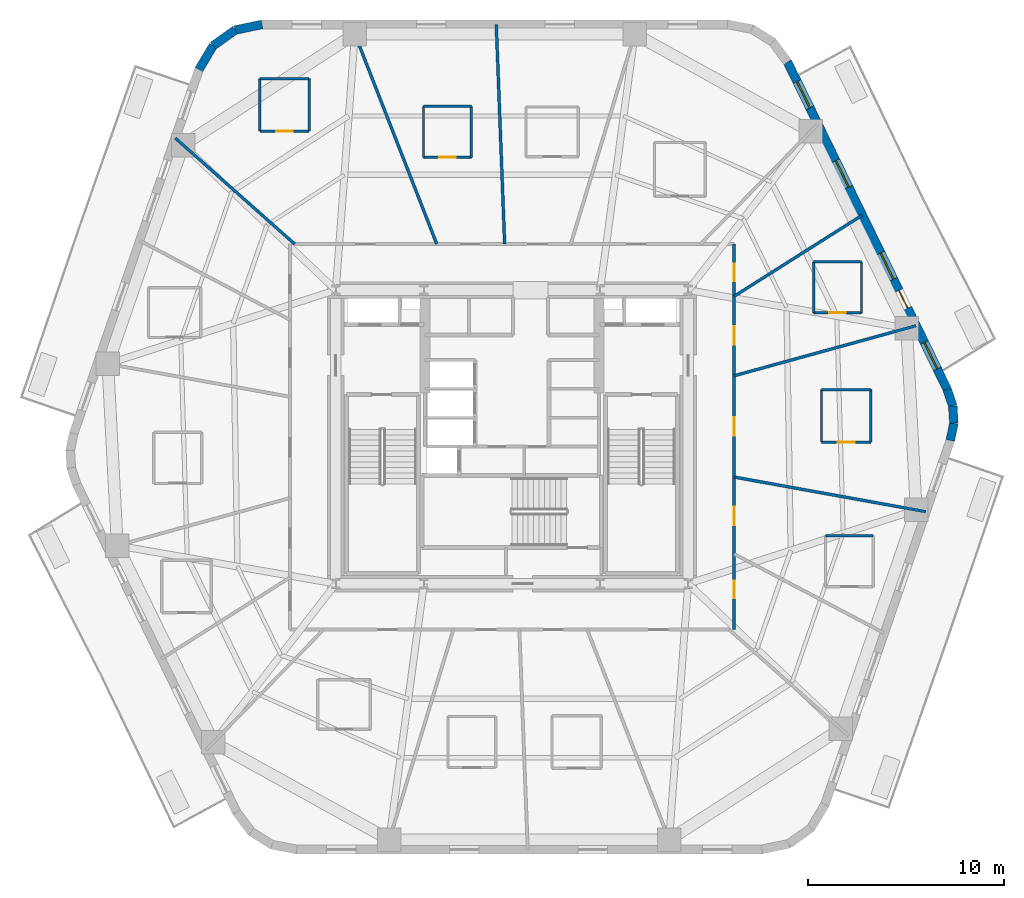
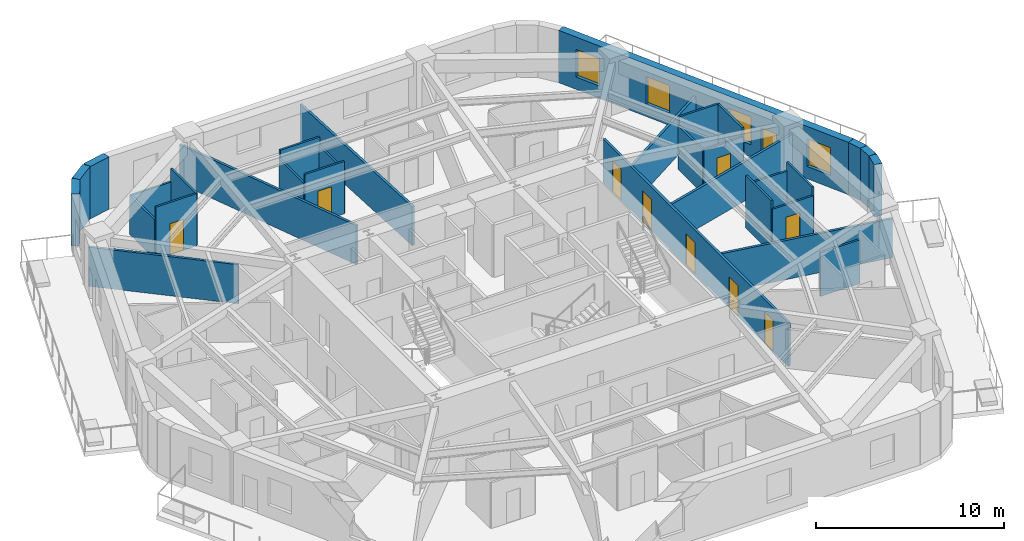
# One storey, part 6 of 10: 31 walls, 10 doors, 4 windows, 14 openings.
"""IFC4 building model written with IfcOpenShell, lengths in metres."""

from ifc_helpers import new_model, si_unit, direction, frame, frame_2d, origin, place, context, subcontext, project, spatial, rectangle, extrude, material, layer, layer_set, type_object, element, fill, save


model = new_model("IFC4")

# Units and contexts
model_context = context("Model", 3, precision=1e-05, world=origin(), true_north=direction((0.0, 1.0)))
body_context = subcontext(model_context, "Body", "Model", "MODEL_VIEW")
ifc_project = project(units=[si_unit("LENGTHUNIT", "METRE"), si_unit("AREAUNIT", "SQUARE_METRE"), si_unit("VOLUMEUNIT", "CUBIC_METRE"), si_unit("PLANEANGLEUNIT", "RADIAN"), si_unit("MASSUNIT", "GRAM", prefix="KILO")], contexts=[model_context])

# Site, building, storey
site_placement = place(None, origin())
site = spatial("IfcSite", under=ifc_project, at=site_placement, CompositionType="ELEMENT")
building_placement = place(site_placement, origin())
building = spatial("IfcBuilding", under=site, at=building_placement, Name="Kilnhurst Terrace Hotel", CompositionType="ELEMENT")
storey_placement = place(building_placement, frame((0.0, 0.0, 121.0)))
storey = spatial("IfcBuildingStorey", under=building, at=storey_placement, Name="L29", CompositionType="ELEMENT", Elevation=121.0)

# Walls
ifc_material_1 = material(Name="Precast concrete C40/50", Category="concrete")
ifc_layer_1 = layer(ifc_material_1, 0.449951171875, Name="Precast concrete C40/50")
ifc_layer_set_1 = layer_set([ifc_layer_1], Name="Precast concrete C40/50")
wall_type_1 = type_object("IfcWallType", Name="WL-BRK-450", PredefinedType="SOLIDWALL", material=ifc_layer_set_1)
wall_1_placement = place(storey_placement, frame((22.39697265625, -0.17919921875, 0.0), z_axis=(0.0, 0.0, 1.0), x_axis=(0.199313589404, 0.979935759669, 0.0)))
element("IfcWall", 1, at=wall_1_placement, inside=storey, type_object=wall_type_1, Name="L29 Rounded Corner Brick Wall C3.1", PredefinedType="SOLIDWALL", context=body_context, shape_type="SweptSolid", body=[
    extrude(rectangle(XDim=0.8955078125, YDim=0.449951171875, at=frame_2d((0.44775390625, 0.0))), origin(), (0.0, 0.0, 1.0), 3.39990234375),
])
wall_2_placement = place(storey_placement, frame((22.575439453125, 0.6982421875, 0.0), z_axis=(0.0, 0.0, 1.0), x_axis=(-0.060980441946, 0.998138961117, 0.0)))
element("IfcWall", 2, at=wall_2_placement, inside=storey, type_object=wall_type_1, Name="L29 Rounded Corner Brick Wall C3.2", PredefinedType="SOLIDWALL", context=body_context, shape_type="SweptSolid", body=[
    extrude(rectangle(XDim=0.880859375, YDim=0.449951171875, at=frame_2d((0.4404296875, 0.0))), origin(), (0.0, 0.0, 1.0), 3.39990234375),
])
wall_3_placement = place(storey_placement, frame((22.521728515625, 1.577392578125, 0.0), z_axis=(0.0, 0.0, 1.0), x_axis=(-0.317372694837, 0.948300887151, 0.0)))
element("IfcWall", 3, at=wall_3_placement, inside=storey, type_object=wall_type_1, Name="L29 Rounded Corner Brick Wall C3.3", PredefinedType="SOLIDWALL", context=body_context, shape_type="SweptSolid", body=[
    extrude(rectangle(XDim=0.8955078125, YDim=0.449951171875, at=frame_2d((0.44775390625, 0.0))), origin(), (0.0, 0.0, 1.0), 3.39990234375),
])
wall_4_placement = place(storey_placement, frame((-12.7705078125, 21.074951171875, 0.0), z_axis=(0.0, 0.0, 1.0), x_axis=(-0.97874281988, -0.205091424819, 0.0)))
element("IfcWall", 4, at=wall_4_placement, inside=storey, type_object=wall_type_1, Name="L29 Rounded Corner Brick Wall C5.1", PredefinedType="SOLIDWALL", context=body_context, shape_type="SweptSolid", body=[
    extrude(rectangle(XDim=1.40576171875, YDim=0.449951171875, at=frame_2d((0.702880859375, 0.0))), origin(), (0.0, 0.0, 1.0), 3.39990234375),
])
wall_5_placement = place(storey_placement, frame((-14.146484375, 20.78662109375, 0.0), z_axis=(0.0, 0.0, 1.0), x_axis=(-0.814162929117, -0.580636482536, 0.0)))
element("IfcWall", 5, at=wall_5_placement, inside=storey, type_object=wall_type_1, Name="L29 Rounded Corner Brick Wall C5.2", PredefinedType="SOLIDWALL", context=body_context, shape_type="SweptSolid", body=[
    extrude(rectangle(XDim=1.382080078125, YDim=0.449951171875, at=frame_2d((0.69091796875, 0.0))), origin(), (0.0, 0.0, 1.0), 3.39990234375),
])
wall_6_placement = place(storey_placement, frame((-15.271728515625, 19.984130859375, 0.0), z_axis=(0.0, 0.0, 1.0), x_axis=(-0.512579347361, -0.858639862025, 0.0)))
element("IfcWall", 6, at=wall_6_placement, inside=storey, type_object=wall_type_1, Name="L29 Rounded Corner Brick Wall C5.3", PredefinedType="SOLIDWALL", context=body_context, shape_type="SweptSolid", body=[
    extrude(rectangle(XDim=1.406005859375, YDim=0.449951171875, at=frame_2d((0.703125, 0.0))), origin(), (0.0, 0.0, 1.0), 3.39990234375),
])

# Wall, openings, door, windows
wall_7_placement = place(storey_placement, frame((22.237548828125, 2.426513671875, 0.0), z_axis=(0.0, 0.0, 1.0), x_axis=(-0.438374803278, 0.898792262901, 0.0)))
wall_7 = element("IfcWall", 7, at=wall_7_placement, inside=storey, type_object=wall_type_1, Name="L29 Exterior Brick Facade Wall F3", PredefinedType="SOLIDWALL", context=body_context, shape_type="SweptSolid", body=[
    extrude(rectangle(XDim=18.618408203125, YDim=0.449951171875, at=frame_2d((9.30908203125, 0.0))), origin(), (0.0, 0.0, 1.0), 3.39990234375),
])
opening_1_placement = place(wall_7_placement, frame((4.6201171875, 0.0, 0.0)))
opening_1 = element("IfcOpeningElement", 8, at=opening_1_placement, cuts=wall_7, Name="Opening BD-1000", PredefinedType="OPENING", context=body_context, shape_type="SweptSolid", body=[
    extrude(rectangle(XDim=1.0, YDim=2.14990234375, at=frame_2d((0.5, 1.074951171875))), frame((0.0, 0.23486328125, 0.0), z_axis=(0.0, -1.0, 0.0), x_axis=(1.0, 0.0, 0.0)), (0.0, 0.0, 1.0), 0.469970703125),
])
opening_2_placement = place(wall_7_placement, frame((6.261962890625, 0.0, 0.800048828125)))
opening_2 = element("IfcOpeningElement", 9, at=opening_2_placement, cuts=wall_7, Name="Opening W-02", PredefinedType="OPENING", context=body_context, shape_type="SweptSolid", body=[
    extrude(rectangle(XDim=1.5, YDim=1.800048828125, at=frame_2d((0.75, 0.89990234375))), frame((0.0, 0.23486328125, 0.0), z_axis=(0.0, -1.0, 0.0), x_axis=(1.0, 0.0, 0.0)), (0.0, 0.0, 1.0), 0.469970703125),
])
opening_3_placement = place(wall_7_placement, frame((11.5009765625, 0.0, 0.800048828125)))
opening_3 = element("IfcOpeningElement", 10, at=opening_3_placement, cuts=wall_7, Name="Opening W-02", PredefinedType="OPENING", context=body_context, shape_type="SweptSolid", body=[
    extrude(rectangle(XDim=1.5, YDim=1.800048828125, at=frame_2d((0.75, 0.89990234375))), frame((0.0, 0.23486328125, 0.0), z_axis=(0.0, -1.0, 0.0), x_axis=(1.0, 0.0, 0.0)), (0.0, 0.0, 1.0), 0.469970703125),
])
opening_4_placement = place(wall_7_placement, frame((16.006103515625, 0.0, 0.800048828125)))
opening_4 = element("IfcOpeningElement", 11, at=opening_4_placement, cuts=wall_7, Name="Opening W-02", PredefinedType="OPENING", context=body_context, shape_type="SweptSolid", body=[
    extrude(rectangle(XDim=1.5, YDim=1.800048828125, at=frame_2d((0.75, 0.89990234375))), frame((0.0, 0.23486328125, 0.0), z_axis=(0.0, -1.0, 0.0), x_axis=(1.0, 0.0, 0.0)), (0.0, 0.0, 1.0), 0.469970703125),
])
opening_5_placement = place(wall_7_placement, frame((1.1630859375, 0.0, 0.800048828125)))
opening_5 = element("IfcOpeningElement", 12, at=opening_5_placement, cuts=wall_7, Name="Opening W-02", PredefinedType="OPENING", context=body_context, shape_type="SweptSolid", body=[
    extrude(rectangle(XDim=1.5, YDim=1.800048828125, at=frame_2d((0.75, 0.89990234375))), frame((0.0, 0.23486328125, 0.0), z_axis=(0.0, -1.0, 0.0), x_axis=(1.0, 0.0, 0.0)), (0.0, 0.0, 1.0), 0.469970703125),
])
ifc_material_2 = material(Name="Thermally Broken Bronze Aluminium Alloy 6063-T6 and Laminated Glass", Category="aluminium")
door_type_1 = type_object("IfcDoorType", Name="DR-EXT-BAL-1000", OperationType="NOTDEFINED", PredefinedType="DOOR", material=ifc_material_2)
door_1_placement = place(opening_1_placement, origin())
door_1 = element("IfcDoor", 13, at=door_1_placement, inside=storey, type_object=door_type_1, Name="L29 Planted Balcony Door BAL-L1B", OperationType="SINGLE_SWING_LEFT", OverallHeight=2.14990234375, OverallWidth=1.0, PredefinedType="DOOR", context=body_context, shape_type="SweptSolid", body=[
    extrude(rectangle(XDim=1.0, YDim=2.14990234375, at=frame_2d((0.5, 1.074951171875))), frame((0.0, 0.02490234375, 0.0), z_axis=(0.0, -1.0, 0.0), x_axis=(1.0, 0.0, 0.0)), (0.0, 0.0, 1.0), 0.050048828125),
])
fill(opening_1, door_1)
ifc_material_3 = material(Name="Thermally Broken Bronze Aluminium Alloy 6063-T6 and Low-E Glass", Category="aluminium")
window_type = type_object("IfcWindowType", Name="WIN-1500X1800", PartitioningType="SINGLE_PANEL", PredefinedType="WINDOW", material=ifc_material_3)
window_1_placement = place(opening_2_placement, origin())
window_1 = element("IfcWindow", 14, at=window_1_placement, inside=storey, type_object=window_type, Name="L29 Deep-Set Masonry Window F3.1", OverallHeight=1.800048828125, OverallWidth=1.5, PartitioningType="SINGLE_PANEL", PredefinedType="WINDOW", context=body_context, shape_type="SweptSolid", body=[
    extrude(rectangle(XDim=1.5, YDim=1.800048828125, at=frame_2d((0.75, 0.89990234375))), frame((0.0, 0.030029296875, 0.0), z_axis=(0.0, -1.0, 0.0), x_axis=(1.0, 0.0, 0.0)), (0.0, 0.0, 1.0), 0.06005859375),
])
fill(opening_2, window_1)
window_2_placement = place(opening_3_placement, origin())
window_2 = element("IfcWindow", 15, at=window_2_placement, inside=storey, type_object=window_type, Name="L29 Deep-Set Masonry Window F3.2", OverallHeight=1.800048828125, OverallWidth=1.5, PartitioningType="SINGLE_PANEL", PredefinedType="WINDOW", context=body_context, shape_type="SweptSolid", body=[
    extrude(rectangle(XDim=1.5, YDim=1.800048828125, at=frame_2d((0.75, 0.89990234375))), frame((0.0, 0.030029296875, 0.0), z_axis=(0.0, -1.0, 0.0), x_axis=(1.0, 0.0, 0.0)), (0.0, 0.0, 1.0), 0.06005859375),
])
fill(opening_3, window_2)
window_3_placement = place(opening_4_placement, origin())
window_3 = element("IfcWindow", 16, at=window_3_placement, inside=storey, type_object=window_type, Name="L29 Deep-Set Masonry Window F3.3", OverallHeight=1.800048828125, OverallWidth=1.5, PartitioningType="SINGLE_PANEL", PredefinedType="WINDOW", context=body_context, shape_type="SweptSolid", body=[
    extrude(rectangle(XDim=1.5, YDim=1.800048828125, at=frame_2d((0.75, 0.89990234375))), frame((0.0, 0.030029296875, 0.0), z_axis=(0.0, -1.0, 0.0), x_axis=(1.0, 0.0, 0.0)), (0.0, 0.0, 1.0), 0.06005859375),
])
fill(opening_4, window_3)
window_4_placement = place(opening_5_placement, origin())
window_4 = element("IfcWindow", 17, at=window_4_placement, inside=storey, type_object=window_type, Name="L29 Deep-Set Masonry Window F3.4", OverallHeight=1.800048828125, OverallWidth=1.5, PartitioningType="SINGLE_PANEL", PredefinedType="WINDOW", context=body_context, shape_type="SweptSolid", body=[
    extrude(rectangle(XDim=1.5, YDim=1.800048828125, at=frame_2d((0.75, 0.89990234375))), frame((0.0, 0.030029296875, 0.0), z_axis=(0.0, -1.0, 0.0), x_axis=(1.0, 0.0, 0.0)), (0.0, 0.0, 1.0), 0.06005859375),
])
fill(opening_5, window_4)

# Wall, openings, doors
ifc_material_4 = material(Name="Acoustic Double-Gypsum Corridor Partition Assembly")
ifc_layer_2 = layer(ifc_material_4, 0.14990234375, Name="Acoustic Double-Gypsum Corridor Partition Assembly")
ifc_layer_set_2 = layer_set([ifc_layer_2], Name="Acoustic Double-Gypsum Corridor Partition Assembly")
wall_type_2 = type_object("IfcWallType", Name="WL-COR-150", PredefinedType="PARTITIONING", material=ifc_layer_set_2)
wall_8_placement = place(storey_placement, frame((11.35009765625, 9.85009765625, 0.0), z_axis=(0.0, 0.0, 1.0), x_axis=(0.0, -1.0, 0.0)))
wall_8 = element("IfcWall", 18, at=wall_8_placement, inside=storey, type_object=wall_type_2, Name="L29 Interior Wall WL-L29-COR-03", PredefinedType="PARTITIONING", context=body_context, shape_type="SweptSolid", body=[
    extrude(rectangle(XDim=19.7001953125, YDim=0.14990234375, at=frame_2d((9.85009765625, 0.0))), origin(), (0.0, 0.0, 1.0), 2.840087890625),
])
opening_6_placement = place(wall_8_placement, frame((4.198974609375, 0.0, 0.0)))
opening_6 = element("IfcOpeningElement", 19, at=opening_6_placement, cuts=wall_8, Name="Opening D-60B", PredefinedType="OPENING", context=body_context, shape_type="SweptSolid", body=[
    extrude(rectangle(XDim=0.949951171875, YDim=2.030029296875, at=frame_2d((0.47509765625, 1.01513671875))), frame((0.0, 0.0849609375, 0.0), z_axis=(0.0, -1.0, 0.0), x_axis=(1.0, 0.0, 0.0)), (0.0, 0.0, 1.0), 0.169921875),
])
opening_7_placement = place(wall_8_placement, frame((1.001953125, 0.0, 0.0)))
opening_7 = element("IfcOpeningElement", 20, at=opening_7_placement, cuts=wall_8, Name="Opening D-60C", PredefinedType="OPENING", context=body_context, shape_type="SweptSolid", body=[
    extrude(rectangle(XDim=0.89990234375, YDim=2.030029296875, at=frame_2d((0.449951171875, 1.01513671875))), frame((0.0, 0.0849609375, 0.0), z_axis=(0.0, -1.0, 0.0), x_axis=(1.0, 0.0, 0.0)), (0.0, 0.0, 1.0), 0.169921875),
])
opening_8_placement = place(wall_8_placement, frame((17.197021484375, 0.0, 0.0)))
opening_8 = element("IfcOpeningElement", 21, at=opening_8_placement, cuts=wall_8, Name="Opening D-60C", PredefinedType="OPENING", context=body_context, shape_type="SweptSolid", body=[
    extrude(rectangle(XDim=0.89990234375, YDim=2.030029296875, at=frame_2d((0.449951171875, 1.01513671875))), frame((0.0, 0.0849609375, 0.0), z_axis=(0.0, -1.0, 0.0), x_axis=(1.0, 0.0, 0.0)), (0.0, 0.0, 1.0), 0.169921875),
])
opening_9_placement = place(wall_8_placement, frame((13.407958984375, 0.0, 0.0)))
opening_9 = element("IfcOpeningElement", 22, at=opening_9_placement, cuts=wall_8, Name="Opening D-60B", PredefinedType="OPENING", context=body_context, shape_type="SweptSolid", body=[
    extrude(rectangle(XDim=0.949951171875, YDim=2.030029296875, at=frame_2d((0.47509765625, 1.01513671875))), frame((0.0, 0.0849609375, 0.0), z_axis=(0.0, -1.0, 0.0), x_axis=(1.0, 0.0, 0.0)), (0.0, 0.0, 1.0), 0.169921875),
])
opening_10_placement = place(wall_8_placement, frame((8.8359375, 0.0, 0.0)))
opening_10 = element("IfcOpeningElement", 23, at=opening_10_placement, cuts=wall_8, Name="Opening D-60B", PredefinedType="OPENING", context=body_context, shape_type="SweptSolid", body=[
    extrude(rectangle(XDim=0.949951171875, YDim=2.030029296875, at=frame_2d((0.47509765625, 1.01513671875))), frame((0.0, 0.0849609375, 0.0), z_axis=(0.0, -1.0, 0.0), x_axis=(1.0, 0.0, 0.0)), (0.0, 0.0, 1.0), 0.169921875),
])
ifc_material_5 = material(Name="Painted Solid-Core Service Fire Door")
door_type_2 = type_object("IfcDoorType", Name="DR-FD60-900", OperationType="NOTDEFINED", PredefinedType="DOOR", material=ifc_material_5)
door_2_placement = place(opening_7_placement, origin())
door_2 = element("IfcDoor", 24, at=door_2_placement, inside=storey, type_object=door_type_2, Name="L29 Private Study Salon Door 2", OperationType="SINGLE_SWING_RIGHT", OverallHeight=2.030029296875, OverallWidth=0.89990234375, PredefinedType="DOOR", context=body_context, shape_type="SweptSolid", body=[
    extrude(rectangle(XDim=0.89990234375, YDim=2.030029296875, at=frame_2d((0.449951171875, 1.01513671875))), frame((0.0, 0.02490234375, 0.0), z_axis=(0.0, -1.0, 0.0), x_axis=(1.0, 0.0, 0.0)), (0.0, 0.0, 1.0), 0.050048828125),
])
fill(opening_7, door_2)
door_3_placement = place(opening_8_placement, origin())
door_3 = element("IfcDoor", 25, at=door_3_placement, inside=storey, type_object=door_type_2, Name="L29 Private Meeting Salon Door 16", OperationType="SINGLE_SWING_RIGHT", OverallHeight=2.030029296875, OverallWidth=0.89990234375, PredefinedType="DOOR", context=body_context, shape_type="SweptSolid", body=[
    extrude(rectangle(XDim=0.89990234375, YDim=2.030029296875, at=frame_2d((0.449951171875, 1.01513671875))), frame((0.0, 0.02490234375, 0.0), z_axis=(0.0, -1.0, 0.0), x_axis=(1.0, 0.0, 0.0)), (0.0, 0.0, 1.0), 0.050048828125),
])
fill(opening_8, door_3)
ifc_material_6 = material(Name="Acoustic Walnut Veneer Solid-Core Fire Door")
door_type_3 = type_object("IfcDoorType", Name="DR-FD60-950", OperationType="NOTDEFINED", PredefinedType="DOOR", material=ifc_material_6)
door_4_placement = place(opening_6_placement, origin())
door_4 = element("IfcDoor", 26, at=door_4_placement, inside=storey, type_object=door_type_3, Name="L29 Guest Room Entry Door 1", OperationType="SINGLE_SWING_LEFT", OverallHeight=2.030029296875, OverallWidth=0.949951171875, PredefinedType="DOOR", context=body_context, shape_type="SweptSolid", body=[
    extrude(rectangle(XDim=0.949951171875, YDim=2.030029296875, at=frame_2d((0.47509765625, 1.01513671875))), frame((0.0, 0.02490234375, 0.0), z_axis=(0.0, -1.0, 0.0), x_axis=(1.0, 0.0, 0.0)), (0.0, 0.0, 1.0), 0.050048828125),
])
fill(opening_6, door_4)
door_5_placement = place(opening_9_placement, origin())
door_5 = element("IfcDoor", 27, at=door_5_placement, inside=storey, type_object=door_type_3, Name="L29 Guest Room Entry Door 17", OperationType="SINGLE_SWING_LEFT", OverallHeight=2.030029296875, OverallWidth=0.949951171875, PredefinedType="DOOR", context=body_context, shape_type="SweptSolid", body=[
    extrude(rectangle(XDim=0.949951171875, YDim=2.030029296875, at=frame_2d((0.47509765625, 1.01513671875))), frame((0.0, 0.02490234375, 0.0), z_axis=(0.0, -1.0, 0.0), x_axis=(1.0, 0.0, 0.0)), (0.0, 0.0, 1.0), 0.050048828125),
])
fill(opening_9, door_5)
door_6_placement = place(opening_10_placement, origin())
door_6 = element("IfcDoor", 28, at=door_6_placement, inside=storey, type_object=door_type_3, Name="L29 Executive Suite Entry Door 18", OperationType="SINGLE_SWING_RIGHT", OverallHeight=2.030029296875, OverallWidth=0.949951171875, PredefinedType="DOOR", context=body_context, shape_type="SweptSolid", body=[
    extrude(rectangle(XDim=0.949951171875, YDim=2.030029296875, at=frame_2d((0.47509765625, 1.01513671875))), frame((0.0, 0.02490234375, 0.0), z_axis=(0.0, -1.0, 0.0), x_axis=(1.0, 0.0, 0.0)), (0.0, 0.0, 1.0), 0.050048828125),
])
fill(opening_10, door_6)

# Walls
ifc_material_7 = material(Name="STC-58 Acoustic Twin-Frame Guestroom Demising Partition")
ifc_layer_3 = layer(ifc_material_7, 0.14990234375, Name="STC-58 Acoustic Twin-Frame Guestroom Demising Partition")
ifc_layer_set_3 = layer_set([ifc_layer_3], Name="STC-58 Acoustic Twin-Frame Guestroom Demising Partition")
wall_type_3 = type_object("IfcWallType", Name="WL-DEM-150", PredefinedType="PARTITIONING", material=ifc_layer_set_3)
wall_9_placement = place(storey_placement, frame((11.35009765625, 3.123291015625, 0.0), z_axis=(0.0, 0.0, 1.0), x_axis=(0.964151983214, 0.265350623261, 0.0)))
element("IfcWall", 29, at=wall_9_placement, inside=storey, type_object=wall_type_3, Name="L29 Interior Wall WL-L29-DEM-COL01-01-1", PredefinedType="PARTITIONING", context=body_context, shape_type="SweptSolid", body=[
    extrude(rectangle(XDim=9.64501953125, YDim=0.14990234375, at=frame_2d((4.822509765625, 0.0))), origin(), (0.0, 0.0, 1.0), 2.5400390625),
])
wall_10_placement = place(storey_placement, frame((11.35009765625, 7.185302734375, 0.0), z_axis=(0.0, 0.0, 1.0), x_axis=(0.844928274737, 0.534879622485, 0.0)))
element("IfcWall", 30, at=wall_10_placement, inside=storey, type_object=wall_type_3, Name="L29 Interior Wall WL-L29-DEM-MID01-02-1", PredefinedType="PARTITIONING", context=body_context, shape_type="SweptSolid", body=[
    extrude(rectangle(XDim=7.746826171875, YDim=0.14990234375, at=frame_2d((3.87353515625, 0.0))), origin(), (0.0, 0.0, 1.0), 2.5400390625),
])
wall_11_placement = place(storey_placement, frame((-0.3759765625, 9.85009765625, 0.0), z_axis=(0.0, 0.0, 1.0), x_axis=(-0.03812177869, 0.999273100804, 0.0)))
element("IfcWall", 31, at=wall_11_placement, inside=storey, type_object=wall_type_3, Name="L29 Interior Wall WL-L29-DEM-MID03-05-1", PredefinedType="PARTITIONING", context=body_context, shape_type="SweptSolid", body=[
    extrude(rectangle(XDim=11.23291015625, YDim=0.14990234375, at=frame_2d((5.616455078125, 0.0))), origin(), (0.0, 0.0, 1.0), 2.5400390625),
])
wall_12_placement = place(storey_placement, frame((-3.84228515625, 9.85009765625, 0.0), z_axis=(0.0, 0.0, 1.0), x_axis=(-0.363432685593, 0.931620460833, 0.0)))
element("IfcWall", 32, at=wall_12_placement, inside=storey, type_object=wall_type_3, Name="L29 Interior Wall WL-L29-DEM-COL04-06-1", PredefinedType="PARTITIONING", context=body_context, shape_type="SweptSolid", body=[
    extrude(rectangle(XDim=12.048828125, YDim=0.14990234375, at=frame_2d((6.0244140625, 0.0))), origin(), (0.0, 0.0, 1.0), 2.5400390625),
])
wall_13_placement = place(storey_placement, frame((-11.097900390625, 9.85009765625, 0.0), z_axis=(0.0, 0.0, 1.0), x_axis=(-0.747904295103, 0.663806572253, 0.0)))
element("IfcWall", 33, at=wall_13_placement, inside=storey, type_object=wall_type_3, Name="L29 Interior Wall WL-L29-DEM-COL05-07-1", PredefinedType="PARTITIONING", context=body_context, shape_type="SweptSolid", body=[
    extrude(rectangle(XDim=8.160400390625, YDim=0.14990234375, at=frame_2d((4.080078125, 0.0))), origin(), (0.0, 0.0, 1.0), 2.5400390625),
])
wall_14_placement = place(storey_placement, frame((11.35009765625, -2.05078125, 0.0), z_axis=(0.0, 0.0, 1.0), x_axis=(0.984068313063, -0.177790762484, 0.0)))
element("IfcWall", 34, at=wall_14_placement, inside=storey, type_object=wall_type_3, Name="L29 Interior Wall WL-L29-DEM-COL12-18-1", PredefinedType="PARTITIONING", context=body_context, shape_type="SweptSolid", body=[
    extrude(rectangle(XDim=9.951416015625, YDim=0.14990234375, at=frame_2d((4.9755859375, 0.0))), origin(), (0.0, 0.0, 1.0), 2.5400390625),
])

# Wall, opening, door
ifc_material_8 = material(Name="120 mm Moisture-Resistant Tile-Backed Bathroom Partition")
ifc_layer_4 = layer(ifc_material_8, 0.1201171875, Name="120 mm Moisture-Resistant Tile-Backed Bathroom Partition")
ifc_layer_set_4 = layer_set([ifc_layer_4], Name="120 mm Moisture-Resistant Tile-Backed Bathroom Partition")
wall_type_4 = type_object("IfcWallType", Name="WL-PART-120", PredefinedType="PARTITIONING", material=ifc_layer_set_4)
wall_15_placement = place(storey_placement, frame((15.4140625, 6.3349609375, 0.0), z_axis=(0.0, 0.0, 1.0), x_axis=(1.0, 0.0, 0.0)))
wall_15 = element("IfcWall", 35, at=wall_15_placement, inside=storey, type_object=wall_type_4, Name="L29 Interior Wall WL-L29-BTH-01-1", PredefinedType="PARTITIONING", context=body_context, shape_type="SweptSolid", body=[
    extrude(rectangle(XDim=2.43994140625, YDim=0.1201171875, at=frame_2d((1.219970703125, 0.0))), origin(), (0.0, 0.0, 1.0), 2.840087890625),
])
opening_11_placement = place(wall_15_placement, frame((0.794921875, 0.0, 0.0)))
opening_11 = element("IfcOpeningElement", 36, at=opening_11_placement, cuts=wall_15, Name="Opening D-08A", PredefinedType="OPENING", context=body_context, shape_type="SweptSolid", body=[
    extrude(rectangle(XDim=0.85009765625, YDim=2.030029296875, at=frame_2d((0.425048828125, 1.01513671875))), frame((0.0, 0.070068359375, 0.0), z_axis=(0.0, -1.0, 0.0), x_axis=(1.0, 0.0, 0.0)), (0.0, 0.0, 1.0), 0.14013671875),
])
ifc_material_9 = material(Name="Moisture-Resistant Lacquered En-suite Bathroom Door")
door_type_4 = type_object("IfcDoorType", Name="DR-INT-850", OperationType="NOTDEFINED", PredefinedType="DOOR", material=ifc_material_9)
door_7_placement = place(opening_11_placement, origin())
door_7 = element("IfcDoor", 37, at=door_7_placement, inside=storey, type_object=door_type_4, Name="L29 En-suite Bathroom Door 1", OperationType="SINGLE_SWING_RIGHT", OverallHeight=2.030029296875, OverallWidth=0.85009765625, PredefinedType="DOOR", context=body_context, shape_type="SweptSolid", body=[
    extrude(rectangle(XDim=0.85009765625, YDim=2.030029296875, at=frame_2d((0.425048828125, 1.01513671875))), frame((0.0, 0.02490234375, 0.0), z_axis=(0.0, -1.0, 0.0), x_axis=(1.0, 0.0, 0.0)), (0.0, 0.0, 1.0), 0.050048828125),
])
fill(opening_11, door_7)

# Walls
wall_16_placement = place(storey_placement, frame((17.85400390625, 6.3349609375, 0.0), z_axis=(0.0, 0.0, 1.0), x_axis=(0.0, 1.0, 0.0)))
element("IfcWall", 38, at=wall_16_placement, inside=storey, type_object=wall_type_4, Name="L29 Interior Wall WL-L29-BTH-01-2", PredefinedType="PARTITIONING", context=body_context, shape_type="SweptSolid", body=[
    extrude(rectangle(XDim=2.610107421875, YDim=0.1201171875, at=frame_2d((1.30517578125, 0.0))), origin(), (0.0, 0.0, 1.0), 3.39990234375),
])
wall_17_placement = place(storey_placement, frame((17.85400390625, 8.945068359375, 0.0), z_axis=(0.0, 0.0, 1.0), x_axis=(-1.0, 0.0, 0.0)))
element("IfcWall", 39, at=wall_17_placement, inside=storey, type_object=wall_type_4, Name="L29 Interior Wall WL-L29-BTH-01-3", PredefinedType="PARTITIONING", context=body_context, shape_type="SweptSolid", body=[
    extrude(rectangle(XDim=2.43994140625, YDim=0.1201171875, at=frame_2d((1.219970703125, 0.0))), origin(), (0.0, 0.0, 1.0), 3.39990234375),
])
wall_18_placement = place(storey_placement, frame((15.4140625, 8.945068359375, 0.0), z_axis=(0.0, 0.0, 1.0), x_axis=(0.0, -1.0, 0.0)))
element("IfcWall", 40, at=wall_18_placement, inside=storey, type_object=wall_type_4, Name="L29 Interior Wall WL-L29-BTH-01-4", PredefinedType="PARTITIONING", context=body_context, shape_type="SweptSolid", body=[
    extrude(rectangle(XDim=2.610107421875, YDim=0.1201171875, at=frame_2d((1.30517578125, 0.0))), origin(), (0.0, 0.0, 1.0), 2.840087890625),
])

# Wall, opening, door
wall_19_placement = place(storey_placement, frame((-4.52001953125, 14.281982421875, 0.0), z_axis=(0.0, 0.0, 1.0), x_axis=(1.0, 0.0, 0.0)))
wall_19 = element("IfcWall", 41, at=wall_19_placement, inside=storey, type_object=wall_type_4, Name="L29 Interior Wall WL-L29-BTH-05-1", PredefinedType="PARTITIONING", context=body_context, shape_type="SweptSolid", body=[
    extrude(rectangle(XDim=2.43994140625, YDim=0.1201171875, at=frame_2d((1.219970703125, 0.0))), origin(), (0.0, 0.0, 1.0), 3.39990234375),
])
opening_12_placement = place(wall_19_placement, frame((0.794921875, 0.0, 0.0)))
opening_12 = element("IfcOpeningElement", 42, at=opening_12_placement, cuts=wall_19, Name="Opening D-08A", PredefinedType="OPENING", context=body_context, shape_type="SweptSolid", body=[
    extrude(rectangle(XDim=0.85009765625, YDim=2.030029296875, at=frame_2d((0.425048828125, 1.01513671875))), frame((0.0, 0.070068359375, 0.0), z_axis=(0.0, -1.0, 0.0), x_axis=(1.0, 0.0, 0.0)), (0.0, 0.0, 1.0), 0.14013671875),
])
door_8_placement = place(opening_12_placement, origin())
door_8 = element("IfcDoor", 43, at=door_8_placement, inside=storey, type_object=door_type_4, Name="L29 En-suite Bathroom Door 5", OperationType="SINGLE_SWING_RIGHT", OverallHeight=2.030029296875, OverallWidth=0.85009765625, PredefinedType="DOOR", context=body_context, shape_type="SweptSolid", body=[
    extrude(rectangle(XDim=0.85009765625, YDim=2.030029296875, at=frame_2d((0.425048828125, 1.01513671875))), frame((0.0, 0.02490234375, 0.0), z_axis=(0.0, -1.0, 0.0), x_axis=(1.0, 0.0, 0.0)), (0.0, 0.0, 1.0), 0.050048828125),
])
fill(opening_12, door_8)

# Walls
wall_20_placement = place(storey_placement, frame((-2.080078125, 14.281982421875, 0.0), z_axis=(0.0, 0.0, 1.0), x_axis=(0.0, 1.0, 0.0)))
element("IfcWall", 44, at=wall_20_placement, inside=storey, type_object=wall_type_4, Name="L29 Interior Wall WL-L29-BTH-05-2", PredefinedType="PARTITIONING", context=body_context, shape_type="SweptSolid", body=[
    extrude(rectangle(XDim=2.610107421875, YDim=0.1201171875, at=frame_2d((1.30517578125, 0.0))), origin(), (0.0, 0.0, 1.0), 2.84033203125),
])
wall_21_placement = place(storey_placement, frame((-2.080078125, 16.89208984375, 0.0), z_axis=(0.0, 0.0, 1.0), x_axis=(-1.0, 0.0, 0.0)))
element("IfcWall", 45, at=wall_21_placement, inside=storey, type_object=wall_type_4, Name="L29 Interior Wall WL-L29-BTH-05-3", PredefinedType="PARTITIONING", context=body_context, shape_type="SweptSolid", body=[
    extrude(rectangle(XDim=2.43994140625, YDim=0.1201171875, at=frame_2d((1.219970703125, 0.0))), origin(), (0.0, 0.0, 1.0), 3.39990234375),
])
wall_22_placement = place(storey_placement, frame((-4.52001953125, 16.89208984375, 0.0), z_axis=(0.0, 0.0, 1.0), x_axis=(0.0, -1.0, 0.0)))
element("IfcWall", 46, at=wall_22_placement, inside=storey, type_object=wall_type_4, Name="L29 Interior Wall WL-L29-BTH-05-4", PredefinedType="PARTITIONING", context=body_context, shape_type="SweptSolid", body=[
    extrude(rectangle(XDim=2.610107421875, YDim=0.1201171875, at=frame_2d((1.30517578125, 0.0))), origin(), (0.0, 0.0, 1.0), 2.84033203125),
])

# Wall, opening, door
wall_23_placement = place(storey_placement, frame((-12.885009765625, 15.6201171875, 0.0), z_axis=(0.0, 0.0, 1.0), x_axis=(1.0, 0.0, 0.0)))
wall_23 = element("IfcWall", 47, at=wall_23_placement, inside=storey, type_object=wall_type_4, Name="L29 Interior Wall WL-L29-BTH-06-1", PredefinedType="PARTITIONING", context=body_context, shape_type="SweptSolid", body=[
    extrude(rectangle(XDim=2.52001953125, YDim=0.1201171875, at=frame_2d((1.260009765625, 0.0))), origin(), (0.0, 0.0, 1.0), 3.39990234375),
])
opening_13_placement = place(wall_23_placement, frame((0.8349609375, 0.0, 0.0)))
opening_13 = element("IfcOpeningElement", 48, at=opening_13_placement, cuts=wall_23, Name="Opening D-08A", PredefinedType="OPENING", context=body_context, shape_type="SweptSolid", body=[
    extrude(rectangle(XDim=0.85009765625, YDim=2.030029296875, at=frame_2d((0.425048828125, 1.01513671875))), frame((0.0, 0.070068359375, 0.0), z_axis=(0.0, -1.0, 0.0), x_axis=(1.0, 0.0, 0.0)), (0.0, 0.0, 1.0), 0.14013671875),
])
door_9_placement = place(opening_13_placement, origin())
door_9 = element("IfcDoor", 49, at=door_9_placement, inside=storey, type_object=door_type_4, Name="L29 En-suite Bathroom Door 6", OperationType="SINGLE_SWING_LEFT", OverallHeight=2.030029296875, OverallWidth=0.85009765625, PredefinedType="DOOR", context=body_context, shape_type="SweptSolid", body=[
    extrude(rectangle(XDim=0.85009765625, YDim=2.030029296875, at=frame_2d((0.425048828125, 1.01513671875))), frame((0.0, 0.02490234375, 0.0), z_axis=(0.0, -1.0, 0.0), x_axis=(1.0, 0.0, 0.0)), (0.0, 0.0, 1.0), 0.050048828125),
])
fill(opening_13, door_9)

# Walls
wall_24_placement = place(storey_placement, frame((-10.364990234375, 15.6201171875, 0.0), z_axis=(0.0, 0.0, 1.0), x_axis=(0.0, 1.0, 0.0)))
element("IfcWall", 50, at=wall_24_placement, inside=storey, type_object=wall_type_4, Name="L29 Interior Wall WL-L29-BTH-06-2", PredefinedType="PARTITIONING", context=body_context, shape_type="SweptSolid", body=[
    extrude(rectangle(XDim=2.679931640625, YDim=0.1201171875, at=frame_2d((1.33984375, 0.0))), origin(), (0.0, 0.0, 1.0), 3.39990234375),
])
wall_25_placement = place(storey_placement, frame((-10.364990234375, 18.300048828125, 0.0), z_axis=(0.0, 0.0, 1.0), x_axis=(-1.0, 0.0, 0.0)))
element("IfcWall", 51, at=wall_25_placement, inside=storey, type_object=wall_type_4, Name="L29 Interior Wall WL-L29-BTH-06-3", PredefinedType="PARTITIONING", context=body_context, shape_type="SweptSolid", body=[
    extrude(rectangle(XDim=2.52001953125, YDim=0.1201171875, at=frame_2d((1.260009765625, 0.0))), origin(), (0.0, 0.0, 1.0), 2.5400390625),
])
wall_26_placement = place(storey_placement, frame((-12.885009765625, 18.300048828125, 0.0), z_axis=(0.0, 0.0, 1.0), x_axis=(0.0, -1.0, 0.0)))
element("IfcWall", 52, at=wall_26_placement, inside=storey, type_object=wall_type_4, Name="L29 Interior Wall WL-L29-BTH-06-4", PredefinedType="PARTITIONING", context=body_context, shape_type="SweptSolid", body=[
    extrude(rectangle(XDim=2.679931640625, YDim=0.1201171875, at=frame_2d((1.33984375, 0.0))), origin(), (0.0, 0.0, 1.0), 2.5400390625),
])
wall_27_placement = place(storey_placement, frame((18.455078125, -5.0458984375, 0.0), z_axis=(0.0, 0.0, 1.0), x_axis=(-1.0, 0.0, 0.0)))
element("IfcWall", 53, at=wall_27_placement, inside=storey, type_object=wall_type_4, Name="L29 Interior Wall WL-L29-BTH-17-3", PredefinedType="PARTITIONING", context=body_context, shape_type="SweptSolid", body=[
    extrude(rectangle(XDim=2.440185546875, YDim=0.1201171875, at=frame_2d((1.22021484375, 0.0))), origin(), (0.0, 0.0, 1.0), 2.840087890625),
])

# Wall, opening, door
wall_28_placement = place(storey_placement, frame((15.81494140625, -0.26611328125, 0.0), z_axis=(0.0, 0.0, 1.0), x_axis=(1.0, 0.0, 0.0)))
wall_28 = element("IfcWall", 54, at=wall_28_placement, inside=storey, type_object=wall_type_4, Name="L29 Interior Wall WL-L29-BTH-18-1", PredefinedType="PARTITIONING", context=body_context, shape_type="SweptSolid", body=[
    extrude(rectangle(XDim=2.52001953125, YDim=0.1201171875, at=frame_2d((1.260009765625, 0.0))), origin(), (0.0, 0.0, 1.0), 2.84033203125),
])
opening_14_placement = place(wall_28_placement, frame((0.8349609375, 0.0, 0.0)))
opening_14 = element("IfcOpeningElement", 55, at=opening_14_placement, cuts=wall_28, Name="Opening D-08A", PredefinedType="OPENING", context=body_context, shape_type="SweptSolid", body=[
    extrude(rectangle(XDim=0.85009765625, YDim=2.030029296875, at=frame_2d((0.425048828125, 1.01513671875))), frame((0.0, 0.070068359375, 0.0), z_axis=(0.0, -1.0, 0.0), x_axis=(1.0, 0.0, 0.0)), (0.0, 0.0, 1.0), 0.14013671875),
])
door_10_placement = place(opening_14_placement, origin())
door_10 = element("IfcDoor", 56, at=door_10_placement, inside=storey, type_object=door_type_4, Name="L29 En-suite Bathroom Door 18", OperationType="SINGLE_SWING_LEFT", OverallHeight=2.030029296875, OverallWidth=0.85009765625, PredefinedType="DOOR", context=body_context, shape_type="SweptSolid", body=[
    extrude(rectangle(XDim=0.85009765625, YDim=2.030029296875, at=frame_2d((0.425048828125, 1.01513671875))), frame((0.0, 0.02490234375, 0.0), z_axis=(0.0, -1.0, 0.0), x_axis=(1.0, 0.0, 0.0)), (0.0, 0.0, 1.0), 0.050048828125),
])
fill(opening_14, door_10)

# Walls
wall_29_placement = place(storey_placement, frame((18.3349609375, -0.26611328125, 0.0), z_axis=(0.0, 0.0, 1.0), x_axis=(0.0, 1.0, 0.0)))
element("IfcWall", 57, at=wall_29_placement, inside=storey, type_object=wall_type_4, Name="L29 Interior Wall WL-L29-BTH-18-2", PredefinedType="PARTITIONING", context=body_context, shape_type="SweptSolid", body=[
    extrude(rectangle(XDim=2.68017578125, YDim=0.1201171875, at=frame_2d((1.340087890625, 0.0))), origin(), (0.0, 0.0, 1.0), 3.39990234375),
])
wall_30_placement = place(storey_placement, frame((18.3349609375, 2.4140625, 0.0), z_axis=(0.0, 0.0, 1.0), x_axis=(-1.0, 0.0, 0.0)))
element("IfcWall", 58, at=wall_30_placement, inside=storey, type_object=wall_type_4, Name="L29 Interior Wall WL-L29-BTH-18-3", PredefinedType="PARTITIONING", context=body_context, shape_type="SweptSolid", body=[
    extrude(rectangle(XDim=2.52001953125, YDim=0.1201171875, at=frame_2d((1.260009765625, 0.0))), origin(), (0.0, 0.0, 1.0), 2.84033203125),
])
wall_31_placement = place(storey_placement, frame((15.81494140625, 2.4140625, 0.0), z_axis=(0.0, 0.0, 1.0), x_axis=(0.0, -1.0, 0.0)))
element("IfcWall", 59, at=wall_31_placement, inside=storey, type_object=wall_type_4, Name="L29 Interior Wall WL-L29-BTH-18-4", PredefinedType="PARTITIONING", context=body_context, shape_type="SweptSolid", body=[
    extrude(rectangle(XDim=2.68017578125, YDim=0.1201171875, at=frame_2d((1.340087890625, 0.0))), origin(), (0.0, 0.0, 1.0), 3.39990234375),
])

save(model, "model.ifc")
